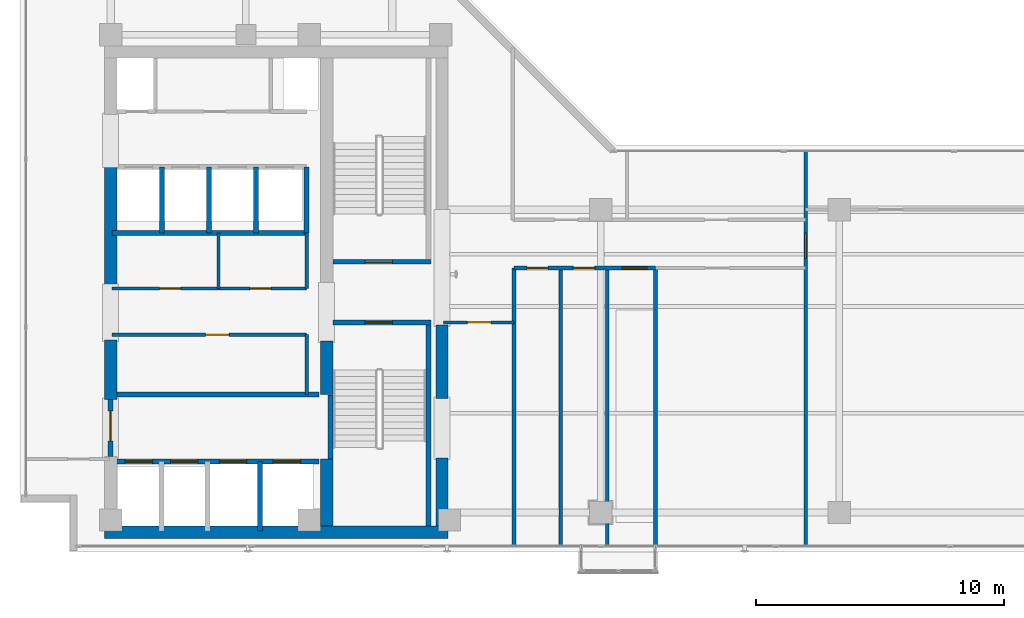
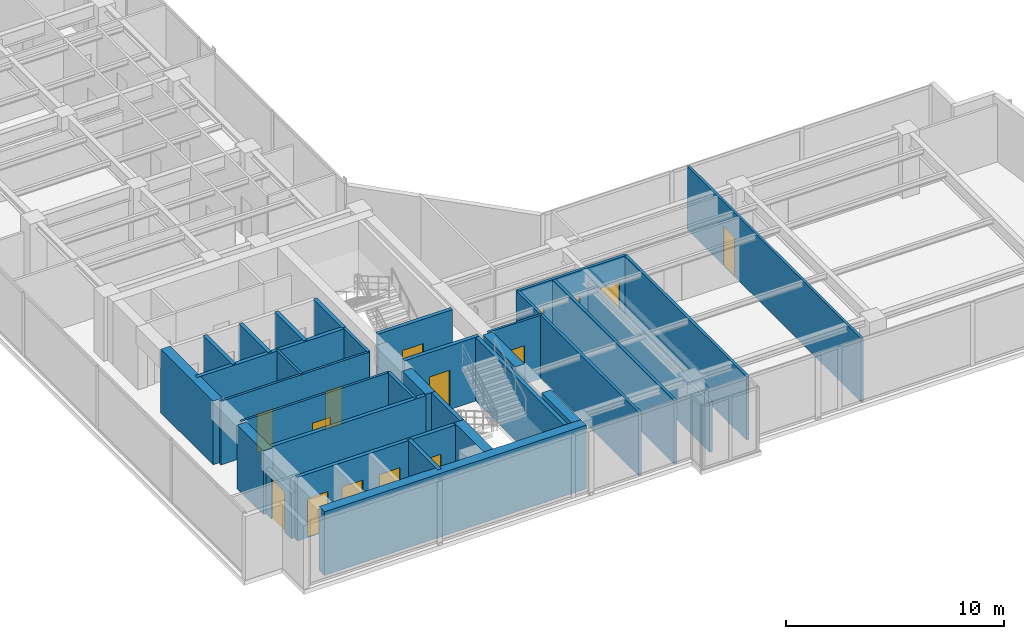
# One storey, part 17 of 22: 32 walls, 15 doors, 15 openings.
"""IFC4 building model written with IfcOpenShell, lengths in metres."""

import ifcopenshell
import ifcopenshell.guid

model = None  # the IFC model being written
_history = None  # IfcOwnerHistory: only IFC2X3 demands one
_inside = {}  # id of a spatial element -> (the spatial element, [elements in it])
_under = {}  # id of a project, library or spatial element -> (it, [spatial elements below it])
_declared = {}  # id of a project -> (the project, [libraries it declares])
_typed = {}  # id of a type object -> (the type object, [elements of that type])
_made_of = {}  # id of a material, layer set ... -> (it, [elements and type objects made of it])


def new_model(schema):
    """Start an empty IFC model of exactly this schema.

    Asked for "IFC4X3", IfcOpenShell would pick the latest addendum, in which some entities
    have other attributes; the version numbers below select the first issue.
    IFC2X3 requires an IfcOwnerHistory on every rooted entity: one is made here for all.
    """
    global model, _history
    if schema == "IFC4X3":
        model = ifcopenshell.file(schema_version=(4, 3, 0, 0))
    else:
        model = ifcopenshell.file(schema=schema)
    _inside.clear()
    _under.clear()
    _declared.clear()
    _typed.clear()
    _made_of.clear()
    _history = None
    if model.schema == "IFC2X3":
        org = make("IfcOrganization", Name="unknown")
        user = make(
            "IfcPersonAndOrganization",
            ThePerson=make("IfcPerson", FamilyName="unknown"),
            TheOrganization=org,
        )
        app = make(
            "IfcApplication",
            ApplicationDeveloper=org,
            Version="unknown",
            ApplicationFullName="unknown",
            ApplicationIdentifier="unknown",
        )
        _history = make(
            "IfcOwnerHistory",
            OwningUser=user,
            OwningApplication=app,
            ChangeAction="ADDED",
            CreationDate=0,
        )
    return model


def make(cls, **values):
    """One entity of the class cls with the attributes given. An attribute that is None is left unset."""
    return model.create_entity(
        cls, **{name: value for name, value in values.items() if value is not None}
    )


def rooted(cls, **values):
    """An entity with a GlobalId (a new one), such as an element, a storey or a relation."""
    return make(cls, GlobalId=ifcopenshell.guid.new(), OwnerHistory=_history, **values)


def si_unit(unit_type, name, prefix=None):
    """IfcSIUnit, for example si_unit("LENGTHUNIT", "METRE", prefix="MILLI")."""
    return make("IfcSIUnit", UnitType=unit_type, Prefix=prefix, Name=name)


def assignment(units):
    """IfcUnitAssignment: the units of a project."""
    return None if units is None else make("IfcUnitAssignment", Units=units)


def point(xyz):
    """IfcCartesianPoint."""
    return None if xyz is None else make("IfcCartesianPoint", Coordinates=xyz)


def direction(xyz):
    """IfcDirection."""
    return None if xyz is None else make("IfcDirection", DirectionRatios=xyz)


def frame(location, z_axis=None, x_axis=None):
    """IfcAxis2Placement3D, a coordinate frame: its origin and axes. An axis left out is left unset."""
    return make(
        "IfcAxis2Placement3D",
        Location=point(location),
        Axis=direction(z_axis),
        RefDirection=direction(x_axis),
    )


def frame_2d(location, x_axis=None):
    """IfcAxis2Placement2D, a coordinate frame in the plane: its origin and x axis."""
    return make(
        "IfcAxis2Placement2D", Location=point(location), RefDirection=direction(x_axis)
    )


def origin():
    """The frame at (0, 0, 0) with its axes left unset."""
    return frame((0.0, 0.0, 0.0))


def place(relative_to, where):
    """IfcLocalPlacement: puts the frame where relative to a parent placement (None: the world)."""
    return make(
        "IfcLocalPlacement", PlacementRelTo=relative_to, RelativePlacement=where
    )


def context(
    kind, dimensions, precision=None, world=None, true_north=None, identifier=None
):
    """IfcGeometricRepresentationContext, for example the 3D "Model" context."""
    return make(
        "IfcGeometricRepresentationContext",
        ContextIdentifier=identifier,
        ContextType=kind,
        CoordinateSpaceDimension=dimensions,
        Precision=precision,
        WorldCoordinateSystem=world,
        TrueNorth=true_north,
    )


def subcontext(parent, identifier, kind, view, scale=None):
    """IfcGeometricRepresentationSubContext, for example "Body" below "Model"."""
    return make(
        "IfcGeometricRepresentationSubContext",
        ContextIdentifier=identifier,
        ContextType=kind,
        ParentContext=parent,
        TargetScale=scale,
        TargetView=view,
    )


def project(units=None, contexts=None):
    """IfcProject with its units and contexts."""
    return rooted(
        "IfcProject",
        Name="project",
        RepresentationContexts=contexts,
        UnitsInContext=assignment(units),
    )


def spatial(cls, under=None, at=None, **own):
    """A site, building, storey or space (cls), placed at a placement, below another one or the project."""
    s = rooted(cls, ObjectPlacement=at, **own)
    if under is not None:
        _under.setdefault(under.id(), (under, []))[1].append(s)
    return s


def profile(cls, at=None, kind="AREA", **sizes):
    """A parametric profile (cls). Its sizes go by their IFC names, for example OverallWidth=200.0."""
    return make(cls, ProfileType=kind, Position=at, **sizes)


def rectangle(**sizes):
    """IfcRectangleProfileDef."""
    return profile("IfcRectangleProfileDef", **sizes)


def extrude(swept, where, along, depth):
    """IfcExtrudedAreaSolid: the profile swept, set in the frame where, extruded along a direction by depth."""
    return make(
        "IfcExtrudedAreaSolid",
        SweptArea=swept,
        Position=where,
        ExtrudedDirection=direction(along),
        Depth=depth,
    )


def shape(context_of_items, identifier, shape_type, items):
    """IfcShapeRepresentation: the items that make up one representation, for example the "Body"."""
    return make(
        "IfcShapeRepresentation",
        ContextOfItems=context_of_items,
        RepresentationIdentifier=identifier,
        RepresentationType=shape_type,
        Items=items,
    )


def material(Name=None, Category=None):
    """IfcMaterial."""
    return make("IfcMaterial", Name=Name, Category=Category)


def layer(
    of_material, thickness, ventilated=None, Name=None, Category=None, Priority=None
):
    """IfcMaterialLayer: one layer of a wall or slab, of a material (None: an air gap)."""
    return make(
        "IfcMaterialLayer",
        Material=of_material,
        LayerThickness=thickness,
        IsVentilated=ventilated,
        Name=Name,
        Category=Category,
        Priority=Priority,
    )


def layer_set(layers, Name=None):
    """IfcMaterialLayerSet."""
    return make("IfcMaterialLayerSet", MaterialLayers=layers, LayerSetName=Name)


def made_of(thing, what):
    """Note that an element or type object is made of a material, layer set ...; save() writes the relation."""
    if what is not None:
        _made_of.setdefault(what.id(), (what, []))[1].append(thing)
    return thing


def type_object(cls, material=None, **own):
    """A type object (cls), such as IfcWallType, which elements share."""
    return made_of(rooted(cls, **own), material)


def element(
    cls,
    number,
    at=None,
    inside=None,
    cuts=None,
    type_object=None,
    material=None,
    context=None,
    identifier="Body",
    shape_type=None,
    held_by="IfcProductDefinitionShape",
    body=None,
    shapes=None,
    **own,
):
    """One element of the class cls, such as IfcWall. Its Tag is "e" and its number.

    at: its placement. inside: the storey or other place that contains it. cuts: it is an
    opening in that element (IfcRelVoidsElement). A single representation is given by context,
    identifier, shape_type and body (its items); several are given by shapes. held_by: the class
    of the entity that holds the representations. save() writes the other relations.
    """
    e = rooted(cls, Tag="e%d" % number, ObjectPlacement=at, **own)
    if body is not None:
        shapes = [shape(context, identifier, shape_type, body)]
    if shapes is not None:
        e.Representation = make(held_by, Representations=shapes)
    if inside is not None:
        _inside.setdefault(inside.id(), (inside, []))[1].append(e)
    if cuts is not None:
        rooted(
            "IfcRelVoidsElement", RelatingBuildingElement=cuts, RelatedOpeningElement=e
        )
    if type_object is not None:
        _typed.setdefault(type_object.id(), (type_object, []))[1].append(e)
    return made_of(e, material)


def fill(opening, filler):
    """IfcRelFillsElement: the door or window that sits in an opening."""
    return rooted(
        "IfcRelFillsElement",
        RelatingOpeningElement=opening,
        RelatedBuildingElement=filler,
    )


def aggregate(whole, parts):
    """IfcRelAggregates: a whole, such as a stair, and the parts it consists of."""
    return rooted("IfcRelAggregates", RelatingObject=whole, RelatedObjects=parts)


def save(model, path):
    """Write the relations noted so far, then the file.

    IfcRelAggregates (storeys below a building ...), IfcRelContainedInSpatialStructure (elements
    in a storey), IfcRelDefinesByType, IfcRelAssociatesMaterial and IfcRelDeclares: one each for
    every whole, place, type object, material and project.
    """
    for whole, parts in _under.values():
        aggregate(whole, parts)
    for where, things in _inside.values():
        rooted(
            "IfcRelContainedInSpatialStructure",
            RelatedElements=things,
            RelatingStructure=where,
        )
    for kind, things in _typed.values():
        rooted("IfcRelDefinesByType", RelatedObjects=things, RelatingType=kind)
    for what, things in _made_of.values():
        rooted("IfcRelAssociatesMaterial", RelatedObjects=things, RelatingMaterial=what)
    for by, libraries in _declared.values():
        rooted("IfcRelDeclares", RelatingContext=by, RelatedDefinitions=libraries)
    model.write(path)


model = new_model("IFC4")

# Units and contexts
model_context = context("Model", 3, precision=1e-05, world=origin(), true_north=direction((0.0, 1.0)))
body_context = subcontext(model_context, "Body", "Model", "MODEL_VIEW")
ifc_project = project(units=[si_unit("LENGTHUNIT", "METRE"), si_unit("AREAUNIT", "SQUARE_METRE"), si_unit("VOLUMEUNIT", "CUBIC_METRE"), si_unit("PLANEANGLEUNIT", "RADIAN"), si_unit("MASSUNIT", "GRAM", prefix="KILO")], contexts=[model_context])

# Site, building, storey
site_placement = place(None, origin())
site = spatial("IfcSite", under=ifc_project, at=site_placement, CompositionType="ELEMENT")
building_placement = place(site_placement, origin())
building = spatial("IfcBuilding", under=site, at=building_placement, Name="Kolvaren Waterfront Exchange", CompositionType="ELEMENT")
storey_placement = place(building_placement, frame((0.0, 0.0, 262.800048828125)))
storey = spatial("IfcBuildingStorey", under=building, at=storey_placement, Name="L67", CompositionType="ELEMENT", Elevation=262.800048828125)

# Wall, opening, door
ifc_material_1 = material(Name="Precast concrete C40/50", Category="concrete")
ifc_layer_1 = layer(ifc_material_1, 0.199951171875, Name="Precast concrete C40/50")
ifc_layer_set_1 = layer_set([ifc_layer_1], Name="Precast concrete C40/50")
wall_type_1 = type_object("IfcWallType", Name="ARC-FIRE-200", PredefinedType="PARTITIONING", material=ifc_layer_set_1)
wall_1_placement = place(storey_placement, frame((16.39990234375, 12.85009765625, 0.0), z_axis=(0.0, 0.0, 1.0), x_axis=(1.0, 0.0, 0.0)))
wall_1 = element("IfcWall", 1, at=wall_1_placement, inside=storey, type_object=wall_type_1, Name="L67 interior wall PW-L67-ST1-THROAT-S", PredefinedType="PARTITIONING", context=body_context, shape_type="SweptSolid", body=[
    extrude(rectangle(XDim=3.960205078125, YDim=0.199951171875, at=frame_2d((1.97998046875, 0.0))), origin(), (0.0, 0.0, 1.0), 3.56005859375),
])
opening_1_placement = place(wall_1_placement, frame((1.3037109375, 0.0, 0.0)))
opening_1 = element("IfcOpeningElement", 2, at=opening_1_placement, cuts=wall_1, Name="Opening FD2", PredefinedType="OPENING", context=body_context, shape_type="SweptSolid", body=[
    extrude(rectangle(XDim=1.10009765625, YDim=2.199951171875, at=frame_2d((0.550048828125, 1.10009765625))), frame((0.0, 0.10986328125, 0.0), z_axis=(0.0, -1.0, 0.0), x_axis=(1.0, 0.0, 0.0)), (0.0, 0.0, 1.0), 0.219970703125),
])
ifc_material_2 = material(Name="Pressed steel smoke-seal fire door", Category="steel")
door_type_1 = type_object("IfcDoorType", Name="ARC-FD-1100", OperationType="NOTDEFINED", PredefinedType="DOOR", material=ifc_material_2)
door_1_placement = place(opening_1_placement, frame((1.10009765625, 0.0, 0.0), z_axis=(0.0, 0.0, 1.0), x_axis=(-1.0, 0.0, 0.0)))
door_1 = element("IfcDoor", 3, at=door_1_placement, inside=storey, type_object=door_type_1, Name="L67 door DR-L67-ST1-IN (FD2)", OperationType="SINGLE_SWING_LEFT", OverallHeight=2.199951171875, OverallWidth=1.10009765625, PredefinedType="DOOR", context=body_context, shape_type="SweptSolid", body=[
    extrude(rectangle(XDim=1.10009765625, YDim=2.199951171875, at=frame_2d((0.550048828125, 1.10009765625))), frame((0.0, 0.02490234375, 0.0), z_axis=(0.0, -1.0, 0.0), x_axis=(1.0, 0.0, 0.0)), (0.0, 0.0, 1.0), 0.050048828125),
])
fill(opening_1, door_1)

wall_2_placement = place(storey_placement, frame((16.409912109375, 15.300048828125, 0.0), z_axis=(0.0, 0.0, 1.0), x_axis=(1.0, 0.0, 0.0)))
wall_2 = element("IfcWall", 4, at=wall_2_placement, inside=storey, type_object=wall_type_1, Name="L67 interior wall PW-L67-ST2-THROAT-N", PredefinedType="PARTITIONING", context=body_context, shape_type="SweptSolid", body=[
    extrude(rectangle(XDim=3.9501953125, YDim=0.199951171875, at=frame_2d((1.97509765625, 0.0))), origin(), (0.0, 0.0, 1.0), 3.56005859375),
])
opening_2_placement = place(wall_2_placement, frame((1.293701171875, 0.0, 0.0)))
opening_2 = element("IfcOpeningElement", 5, at=opening_2_placement, cuts=wall_2, Name="Opening FD2", PredefinedType="OPENING", context=body_context, shape_type="SweptSolid", body=[
    extrude(rectangle(XDim=1.10009765625, YDim=2.199951171875, at=frame_2d((0.550048828125, 1.10009765625))), frame((0.0, 0.10986328125, 0.0), z_axis=(0.0, -1.0, 0.0), x_axis=(1.0, 0.0, 0.0)), (0.0, 0.0, 1.0), 0.219970703125),
])
door_2_placement = place(opening_2_placement, origin())
door_2 = element("IfcDoor", 6, at=door_2_placement, inside=storey, type_object=door_type_1, Name="L67 door DR-L67-ST2-IN (FD2)", OperationType="SINGLE_SWING_RIGHT", OverallHeight=2.199951171875, OverallWidth=1.10009765625, PredefinedType="DOOR", context=body_context, shape_type="SweptSolid", body=[
    extrude(rectangle(XDim=1.10009765625, YDim=2.199951171875, at=frame_2d((0.550048828125, 1.10009765625))), frame((0.0, 0.02490234375, 0.0), z_axis=(0.0, -1.0, 0.0), x_axis=(1.0, 0.0, 0.0)), (0.0, 0.0, 1.0), 0.050048828125),
])
fill(opening_2, door_2)

# Wall
wall_3_placement = place(storey_placement, frame((7.5, 9.949951171875, 0.0), z_axis=(0.0, 0.0, 1.0), x_axis=(1.0, 0.0, 0.0)))
element("IfcWall", 7, at=wall_3_placement, inside=storey, type_object=wall_type_1, Name="L67 interior wall PW-L67-FF-N", PredefinedType="PARTITIONING", context=body_context, shape_type="SweptSolid", body=[
    extrude(rectangle(XDim=8.35009765625, YDim=0.199951171875, at=frame_2d((4.175048828125, 0.0))), origin(), (0.0, 0.0, 1.0), 3.56005859375),
])

# Wall, opening, door
wall_4_placement = place(storey_placement, frame((7.449951171875, 7.449951171875, 0.0), z_axis=(0.0, 0.0, 1.0), x_axis=(0.0, 1.0, 0.0)))
wall_4 = element("IfcWall", 8, at=wall_4_placement, inside=storey, type_object=wall_type_1, Name="L67 interior wall PW-L67-FF-W-DOOR", PredefinedType="PARTITIONING", context=body_context, shape_type="SweptSolid", body=[
    extrude(rectangle(XDim=2.300048828125, YDim=0.199951171875, at=frame_2d((1.14990234375, 0.0))), origin(), (0.0, 0.0, 1.0), 2.5400390625),
])
opening_3_placement = place(wall_4_placement, frame((0.63330078125, 0.0, 0.0)))
opening_3 = element("IfcOpeningElement", 9, at=opening_3_placement, cuts=wall_4, Name="Opening FD3", PredefinedType="OPENING", context=body_context, shape_type="SweptSolid", body=[
    extrude(rectangle(XDim=1.199951171875, YDim=2.25, at=frame_2d((0.60009765625, 1.125))), frame((0.0, 0.10986328125, 0.0), z_axis=(0.0, -1.0, 0.0), x_axis=(1.0, 0.0, 0.0)), (0.0, 0.0, 1.0), 0.219970703125),
])
ifc_material_3 = material(Name="Pressed steel fire door", Category="steel")
door_type_2 = type_object("IfcDoorType", Name="ARC-FD-1200", OperationType="NOTDEFINED", PredefinedType="DOOR", material=ifc_material_3)
door_3_placement = place(opening_3_placement, frame((1.199951171875, 0.0, 0.0), z_axis=(0.0, 0.0, 1.0), x_axis=(-1.0, 0.0, 0.0)))
door_3 = element("IfcDoor", 10, at=door_3_placement, inside=storey, type_object=door_type_2, Name="L67 door DR-L67-FF-OUT (FD3)", OperationType="SINGLE_SWING_LEFT", OverallHeight=2.25, OverallWidth=1.199951171875, PredefinedType="DOOR", context=body_context, shape_type="SweptSolid", body=[
    extrude(rectangle(XDim=1.199951171875, YDim=2.25, at=frame_2d((0.60009765625, 1.125))), frame((0.0, 0.02490234375, 0.0), z_axis=(0.0, -1.0, 0.0), x_axis=(1.0, 0.0, 0.0)), (0.0, 0.0, 1.0), 0.050048828125),
])
fill(opening_3, door_3)

ifc_material_4 = material(Name="Acoustic gypsum steel stud", Category="steel")
ifc_layer_2 = layer(ifc_material_4, 0.125, Name="Acoustic gypsum steel stud")
ifc_layer_set_2 = layer_set([ifc_layer_2], Name="Acoustic gypsum steel stud")
wall_type_2 = type_object("IfcWallType", Name="ARC-PART-125", PredefinedType="PARTITIONING", material=ifc_layer_set_2)
wall_5_placement = place(storey_placement, frame((7.5, 12.360107421875, 0.0), z_axis=(0.0, 0.0, 1.0), x_axis=(1.0, 0.0, 0.0)))
wall_5 = element("IfcWall", 11, at=wall_5_placement, inside=storey, type_object=wall_type_2, Name="L67 interior wall PW-L67-REC-HI-S", PredefinedType="PARTITIONING", context=body_context, shape_type="SweptSolid", body=[
    extrude(rectangle(XDim=7.85009765625, YDim=0.125, at=frame_2d((3.925048828125, 0.0))), origin(), (0.0, 0.0, 1.0), 3.56005859375),
])
opening_4_placement = place(wall_5_placement, frame((3.77490234375, 0.0, 0.0)))
opening_4 = element("IfcOpeningElement", 12, at=opening_4_placement, cuts=wall_5, Name="Opening D02", PredefinedType="OPENING", context=body_context, shape_type="SweptSolid", body=[
    extrude(rectangle(XDim=0.949951171875, YDim=2.14990234375, at=frame_2d((0.47509765625, 1.074951171875))), frame((0.0, 0.072509765625, 0.0), z_axis=(0.0, -1.0, 0.0), x_axis=(1.0, 0.0, 0.0)), (0.0, 0.0, 1.0), 0.14501953125),
])
ifc_material_5 = material(Name="Oak veneer acoustic timber", Category="wood")
door_type_3 = type_object("IfcDoorType", Name="ARC-DR-950", OperationType="NOTDEFINED", PredefinedType="DOOR", material=ifc_material_5)
door_4_placement = place(opening_4_placement, origin())
door_4 = element("IfcDoor", 13, at=door_4_placement, inside=storey, type_object=door_type_3, Name="L67 door DR-L67-REC-HI-D1 (D02)", OperationType="SINGLE_SWING_RIGHT", OverallHeight=2.14990234375, OverallWidth=0.949951171875, PredefinedType="DOOR", context=body_context, shape_type="SweptSolid", body=[
    extrude(rectangle(XDim=0.949951171875, YDim=2.14990234375, at=frame_2d((0.47509765625, 1.074951171875))), frame((0.0, 0.02490234375, 0.0), z_axis=(0.0, -1.0, 0.0), x_axis=(1.0, 0.0, 0.0)), (0.0, 0.0, 1.0), 0.050048828125),
])
fill(opening_4, door_4)

# Wall, openings, doors
wall_6_placement = place(storey_placement, frame((7.5, 14.219970703125, 0.0), z_axis=(0.0, 0.0, 1.0), x_axis=(1.0, 0.0, 0.0)))
wall_6 = element("IfcWall", 14, at=wall_6_placement, inside=storey, type_object=wall_type_2, Name="L67 interior wall PW-L67-REC-HI-N", PredefinedType="PARTITIONING", context=body_context, shape_type="SweptSolid", body=[
    extrude(rectangle(XDim=7.85009765625, YDim=0.125, at=frame_2d((3.925048828125, 0.0))), origin(), (0.0, 0.0, 1.0), 3.56005859375),
])
opening_5_placement = place(wall_6_placement, frame((1.925048828125, 0.0, 0.0)))
opening_5 = element("IfcOpeningElement", 15, at=opening_5_placement, cuts=wall_6, Name="Opening D01", PredefinedType="OPENING", context=body_context, shape_type="SweptSolid", body=[
    extrude(rectangle(XDim=0.85009765625, YDim=2.14990234375, at=frame_2d((0.425048828125, 1.074951171875))), frame((0.0, 0.072509765625, 0.0), z_axis=(0.0, -1.0, 0.0), x_axis=(1.0, 0.0, 0.0)), (0.0, 0.0, 1.0), 0.14501953125),
])
opening_6_placement = place(wall_6_placement, frame((5.56298828125, 0.0, 0.0)))
opening_6 = element("IfcOpeningElement", 16, at=opening_6_placement, cuts=wall_6, Name="Opening D01", PredefinedType="OPENING", context=body_context, shape_type="SweptSolid", body=[
    extrude(rectangle(XDim=0.85009765625, YDim=2.14990234375, at=frame_2d((0.425048828125, 1.074951171875))), frame((0.0, 0.072509765625, 0.0), z_axis=(0.0, -1.0, 0.0), x_axis=(1.0, 0.0, 0.0)), (0.0, 0.0, 1.0), 0.14501953125),
])
ifc_material_6 = material(Name="Oak veneer timber leaf", Category="wood")
door_type_4 = type_object("IfcDoorType", Name="ARC-DR-900", OperationType="NOTDEFINED", PredefinedType="DOOR", material=ifc_material_6)
door_5_placement = place(opening_5_placement, origin())
door_5 = element("IfcDoor", 17, at=door_5_placement, inside=storey, type_object=door_type_4, Name="L67 door DR-L67-REC-HI-D2 (D01)", OperationType="SINGLE_SWING_LEFT", OverallHeight=2.14990234375, OverallWidth=0.85009765625, PredefinedType="DOOR", context=body_context, shape_type="SweptSolid", body=[
    extrude(rectangle(XDim=0.85009765625, YDim=2.14990234375, at=frame_2d((0.425048828125, 1.074951171875))), frame((0.0, 0.02490234375, 0.0), z_axis=(0.0, -1.0, 0.0), x_axis=(1.0, 0.0, 0.0)), (0.0, 0.0, 1.0), 0.050048828125),
])
fill(opening_5, door_5)
door_6_placement = place(opening_6_placement, origin())
door_6 = element("IfcDoor", 18, at=door_6_placement, inside=storey, type_object=door_type_4, Name="L67 door DR-L67-REC-HI-D3 (D01)", OperationType="SINGLE_SWING_RIGHT", OverallHeight=2.14990234375, OverallWidth=0.85009765625, PredefinedType="DOOR", context=body_context, shape_type="SweptSolid", body=[
    extrude(rectangle(XDim=0.85009765625, YDim=2.14990234375, at=frame_2d((0.425048828125, 1.074951171875))), frame((0.0, 0.02490234375, 0.0), z_axis=(0.0, -1.0, 0.0), x_axis=(1.0, 0.0, 0.0)), (0.0, 0.0, 1.0), 0.050048828125),
])
fill(opening_6, door_6)

# Wall
wall_7_placement = place(storey_placement, frame((11.800048828125, 14.219970703125, 0.0), z_axis=(0.0, 0.0, 1.0), x_axis=(0.0, 1.0, 0.0)))
element("IfcWall", 19, at=wall_7_placement, inside=storey, type_object=wall_type_2, Name="L67 interior wall PW-L67-REC-HI-MN2", PredefinedType="PARTITIONING", context=body_context, shape_type="SweptSolid", body=[
    extrude(rectangle(XDim=2.22998046875, YDim=0.125, at=frame_2d((1.114990234375, 0.0))), origin(), (0.0, 0.0, 1.0), 3.56005859375),
])

# Wall, opening, door
wall_8_placement = place(storey_placement, frame((20.85009765625, 12.860107421875, 0.0), z_axis=(0.0, 0.0, 1.0), x_axis=(1.0, 0.0, 0.0)))
wall_8 = element("IfcWall", 20, at=wall_8_placement, inside=storey, type_object=wall_type_2, Name="L67 interior wall PW-L67-SWST3-N", PredefinedType="PARTITIONING", context=body_context, shape_type="SweptSolid", body=[
    extrude(rectangle(XDim=2.849853515625, YDim=0.125, at=frame_2d((1.4248046875, 0.0))), origin(), (0.0, 0.0, 1.0), 3.56005859375),
])
opening_7_placement = place(wall_8_placement, frame((0.971435546875, 0.0, 0.0)))
opening_7 = element("IfcOpeningElement", 21, at=opening_7_placement, cuts=wall_8, Name="Opening D02", PredefinedType="OPENING", context=body_context, shape_type="SweptSolid", body=[
    extrude(rectangle(XDim=0.949951171875, YDim=2.14990234375, at=frame_2d((0.47509765625, 1.074951171875))), frame((0.0, 0.072509765625, 0.0), z_axis=(0.0, -1.0, 0.0), x_axis=(1.0, 0.0, 0.0)), (0.0, 0.0, 1.0), 0.14501953125),
])
door_7_placement = place(opening_7_placement, origin())
door_7 = element("IfcDoor", 22, at=door_7_placement, inside=storey, type_object=door_type_3, Name="L67 door DR-L67-SWST3-D (D02)", OperationType="SINGLE_SWING_LEFT", OverallHeight=2.14990234375, OverallWidth=0.949951171875, PredefinedType="DOOR", context=body_context, shape_type="SweptSolid", body=[
    extrude(rectangle(XDim=0.949951171875, YDim=2.14990234375, at=frame_2d((0.47509765625, 1.074951171875))), frame((0.0, 0.02490234375, 0.0), z_axis=(0.0, -1.0, 0.0), x_axis=(1.0, 0.0, 0.0)), (0.0, 0.0, 1.0), 0.050048828125),
])
fill(opening_7, door_7)

wall_9_placement = place(storey_placement, frame((35.449951171875, 3.840087890625, 0.0), z_axis=(0.0, 0.0, 1.0), x_axis=(0.0, 1.0, 0.0)))
wall_9 = element("IfcWall", 23, at=wall_9_placement, inside=storey, type_object=wall_type_2, Name="L67 interior wall PW-L67-ETIP-W", PredefinedType="PARTITIONING", context=body_context, shape_type="SweptSolid", body=[
    extrude(rectangle(XDim=15.919921875, YDim=0.125, at=frame_2d((7.9599609375, 0.0))), origin(), (0.0, 0.0, 1.0), 3.56005859375),
])
opening_8_placement = place(wall_9_placement, frame((11.610107421875, 0.0, 0.0)))
opening_8 = element("IfcOpeningElement", 24, at=opening_8_placement, cuts=wall_9, Name="Opening D03", PredefinedType="OPENING", context=body_context, shape_type="SweptSolid", body=[
    extrude(rectangle(XDim=1.0, YDim=2.199951171875, at=frame_2d((0.5, 1.10009765625))), frame((0.0, 0.072509765625, 0.0), z_axis=(0.0, -1.0, 0.0), x_axis=(1.0, 0.0, 0.0)), (0.0, 0.0, 1.0), 0.14501953125),
])
ifc_material_7 = material(Name="Oak veneer accessible timber", Category="wood")
door_type_5 = type_object("IfcDoorType", Name="ARC-DR-1000", OperationType="NOTDEFINED", PredefinedType="DOOR", material=ifc_material_7)
door_8_placement = place(opening_8_placement, origin())
door_8 = element("IfcDoor", 25, at=door_8_placement, inside=storey, type_object=door_type_5, Name="L67 door DR-L67-ETIP1-D (D03)", OperationType="SINGLE_SWING_LEFT", OverallHeight=2.199951171875, OverallWidth=1.0, PredefinedType="DOOR", context=body_context, shape_type="SweptSolid", body=[
    extrude(rectangle(XDim=1.0, YDim=2.199951171875, at=frame_2d((0.5, 1.10009765625))), frame((0.0, 0.02490234375, 0.0), z_axis=(0.0, -1.0, 0.0), x_axis=(1.0, 0.0, 0.0)), (0.0, 0.0, 1.0), 0.050048828125),
])
fill(opening_8, door_8)

# Walls
ifc_material_8 = material(Name="Gypsum fireboard steel stud", Category="steel")
ifc_layer_3 = layer(ifc_material_8, 0.14990234375, Name="Gypsum fireboard steel stud")
ifc_layer_set_3 = layer_set([ifc_layer_3], Name="Gypsum fireboard steel stud")
wall_type_3 = type_object("IfcWallType", Name="ARC-PART-150", PredefinedType="PARTITIONING", material=ifc_layer_set_3)
wall_10_placement = place(storey_placement, frame((15.35009765625, 9.949951171875, 0.0), z_axis=(0.0, 0.0, 1.0), x_axis=(0.0, 1.0, 0.0)))
element("IfcWall", 26, at=wall_10_placement, inside=storey, type_object=wall_type_3, Name="L67 interior wall PW-L67-REC-HI-E1", PredefinedType="PARTITIONING", context=body_context, shape_type="SweptSolid", body=[
    extrude(rectangle(XDim=2.41015625, YDim=0.14990234375, at=frame_2d((1.205078125, 0.0))), origin(), (0.0, 0.0, 1.0), 3.56005859375),
])
wall_11_placement = place(storey_placement, frame((15.35009765625, 14.219970703125, 0.0), z_axis=(0.0, 0.0, 1.0), x_axis=(0.0, 1.0, 0.0)))
element("IfcWall", 27, at=wall_11_placement, inside=storey, type_object=wall_type_3, Name="L67 interior wall PW-L67-REC-HI-E2", PredefinedType="PARTITIONING", context=body_context, shape_type="SweptSolid", body=[
    extrude(rectangle(XDim=2.22998046875, YDim=0.14990234375, at=frame_2d((1.114990234375, 0.0))), origin(), (0.0, 0.0, 1.0), 3.56005859375),
])
ifc_material_9 = material(Name="Moisture-resistant gypsum stud")
ifc_layer_4 = layer(ifc_material_9, 0.14990234375, Name="Moisture-resistant gypsum stud")
ifc_layer_set_4 = layer_set([ifc_layer_4], Name="Moisture-resistant gypsum stud")
wall_type_4 = type_object("IfcWallType", Name="ARC-PLUMB-150", PredefinedType="PLUMBINGWALL", material=ifc_layer_set_4)
wall_12_placement = place(storey_placement, frame((23.699951171875, 3.840087890625, 0.0), z_axis=(0.0, 0.0, 1.0), x_axis=(0.0, 1.0, 0.0)))
element("IfcWall", 28, at=wall_12_placement, inside=storey, type_object=wall_type_4, Name="L67 interior wall PW-L67-WC-0", PredefinedType="PLUMBINGWALL", context=body_context, shape_type="SweptSolid", body=[
    extrude(rectangle(XDim=11.2099609375, YDim=0.14990234375, at=frame_2d((5.60498046875, 0.0))), origin(), (0.0, 0.0, 1.0), 3.56005859375),
])

# Wall, openings, doors
wall_13_placement = place(storey_placement, frame((23.699951171875, 15.050048828125, 0.0), z_axis=(0.0, 0.0, 1.0), x_axis=(1.0, 0.0, 0.0)))
wall_13 = element("IfcWall", 29, at=wall_13_placement, inside=storey, type_object=wall_type_4, Name="L67 interior wall PW-L67-WC-N", PredefinedType="PLUMBINGWALL", context=body_context, shape_type="SweptSolid", body=[
    extrude(rectangle(XDim=5.699951171875, YDim=0.14990234375, at=frame_2d((2.85009765625, 0.0))), origin(), (0.0, 0.0, 1.0), 3.56005859375),
])
opening_9_placement = place(wall_13_placement, frame((0.514892578125, 0.0, 0.0)))
opening_9 = element("IfcOpeningElement", 30, at=opening_9_placement, cuts=wall_13, Name="Opening D01", PredefinedType="OPENING", context=body_context, shape_type="SweptSolid", body=[
    extrude(rectangle(XDim=0.85009765625, YDim=2.14990234375, at=frame_2d((0.425048828125, 1.074951171875))), frame((0.0, 0.0849609375, 0.0), z_axis=(0.0, -1.0, 0.0), x_axis=(1.0, 0.0, 0.0)), (0.0, 0.0, 1.0), 0.169921875),
])
opening_10_placement = place(wall_13_placement, frame((2.39501953125, 0.0, 0.0)))
opening_10 = element("IfcOpeningElement", 31, at=opening_10_placement, cuts=wall_13, Name="Opening D01", PredefinedType="OPENING", context=body_context, shape_type="SweptSolid", body=[
    extrude(rectangle(XDim=0.85009765625, YDim=2.14990234375, at=frame_2d((0.425048828125, 1.074951171875))), frame((0.0, 0.0849609375, 0.0), z_axis=(0.0, -1.0, 0.0), x_axis=(1.0, 0.0, 0.0)), (0.0, 0.0, 1.0), 0.169921875),
])
opening_11_placement = place(wall_13_placement, frame((4.35009765625, 0.0, 0.0)))
opening_11 = element("IfcOpeningElement", 32, at=opening_11_placement, cuts=wall_13, Name="Opening D03", PredefinedType="OPENING", context=body_context, shape_type="SweptSolid", body=[
    extrude(rectangle(XDim=1.0, YDim=2.199951171875, at=frame_2d((0.5, 1.10009765625))), frame((0.0, 0.0849609375, 0.0), z_axis=(0.0, -1.0, 0.0), x_axis=(1.0, 0.0, 0.0)), (0.0, 0.0, 1.0), 0.169921875),
])
door_9_placement = place(opening_11_placement, origin())
door_9 = element("IfcDoor", 33, at=door_9_placement, inside=storey, type_object=door_type_5, Name="L67 door DR-L67-WCA-D (D03)", OperationType="SINGLE_SWING_LEFT", OverallHeight=2.199951171875, OverallWidth=1.0, PredefinedType="DOOR", context=body_context, shape_type="SweptSolid", body=[
    extrude(rectangle(XDim=1.0, YDim=2.199951171875, at=frame_2d((0.5, 1.10009765625))), frame((0.0, 0.02490234375, 0.0), z_axis=(0.0, -1.0, 0.0), x_axis=(1.0, 0.0, 0.0)), (0.0, 0.0, 1.0), 0.050048828125),
])
fill(opening_11, door_9)
door_10_placement = place(opening_9_placement, origin())
door_10 = element("IfcDoor", 34, at=door_10_placement, inside=storey, type_object=door_type_4, Name="L67 door DR-L67-WCM-D (D01)", OperationType="SINGLE_SWING_LEFT", OverallHeight=2.14990234375, OverallWidth=0.85009765625, PredefinedType="DOOR", context=body_context, shape_type="SweptSolid", body=[
    extrude(rectangle(XDim=0.85009765625, YDim=2.14990234375, at=frame_2d((0.425048828125, 1.074951171875))), frame((0.0, 0.02490234375, 0.0), z_axis=(0.0, -1.0, 0.0), x_axis=(1.0, 0.0, 0.0)), (0.0, 0.0, 1.0), 0.050048828125),
])
fill(opening_9, door_10)
door_11_placement = place(opening_10_placement, origin())
door_11 = element("IfcDoor", 35, at=door_11_placement, inside=storey, type_object=door_type_4, Name="L67 door DR-L67-WCF-D (D01)", OperationType="SINGLE_SWING_RIGHT", OverallHeight=2.14990234375, OverallWidth=0.85009765625, PredefinedType="DOOR", context=body_context, shape_type="SweptSolid", body=[
    extrude(rectangle(XDim=0.85009765625, YDim=2.14990234375, at=frame_2d((0.425048828125, 1.074951171875))), frame((0.0, 0.02490234375, 0.0), z_axis=(0.0, -1.0, 0.0), x_axis=(1.0, 0.0, 0.0)), (0.0, 0.0, 1.0), 0.050048828125),
])
fill(opening_10, door_11)

# Walls
wall_14_placement = place(storey_placement, frame((25.580078125, 3.840087890625, 0.0), z_axis=(0.0, 0.0, 1.0), x_axis=(0.0, 1.0, 0.0)))
element("IfcWall", 36, at=wall_14_placement, inside=storey, type_object=wall_type_4, Name="L67 interior wall PW-L67-WC-1", PredefinedType="PLUMBINGWALL", context=body_context, shape_type="SweptSolid", body=[
    extrude(rectangle(XDim=11.2099609375, YDim=0.14990234375, at=frame_2d((5.60498046875, 0.0))), origin(), (0.0, 0.0, 1.0), 3.56005859375),
])
wall_15_placement = place(storey_placement, frame((27.4599609375, 3.840087890625, 0.0), z_axis=(0.0, 0.0, 1.0), x_axis=(0.0, 1.0, 0.0)))
element("IfcWall", 37, at=wall_15_placement, inside=storey, type_object=wall_type_4, Name="L67 interior wall PW-L67-WC-2", PredefinedType="PLUMBINGWALL", context=body_context, shape_type="SweptSolid", body=[
    extrude(rectangle(XDim=11.2099609375, YDim=0.14990234375, at=frame_2d((5.60498046875, 0.0))), origin(), (0.0, 0.0, 1.0), 2.7978515625),
])
wall_16_placement = place(storey_placement, frame((29.39990234375, 3.840087890625, 0.0), z_axis=(0.0, 0.0, 1.0), x_axis=(0.0, 1.0, 0.0)))
element("IfcWall", 38, at=wall_16_placement, inside=storey, type_object=wall_type_4, Name="L67 interior wall PW-L67-WC-3", PredefinedType="PLUMBINGWALL", context=body_context, shape_type="SweptSolid", body=[
    extrude(rectangle(XDim=11.2099609375, YDim=0.14990234375, at=frame_2d((5.60498046875, 0.0))), origin(), (0.0, 0.0, 1.0), 3.56005859375),
])
ifc_material_10 = material(Name="Concrete C40/50", Category="concrete")
ifc_layer_5 = layer(ifc_material_10, 0.199951171875, Name="Concrete C40/50")
ifc_layer_set_5 = layer_set([ifc_layer_5], Name="Concrete C40/50")
wall_type_5 = type_object("IfcWallType", Name="ARC-SHAFT-200", PredefinedType="PARTITIONING", material=ifc_layer_set_5)
wall_17_placement = place(storey_placement, frame((16.300048828125, 7.360107421875, 0.0), z_axis=(0.0, 0.0, 1.0), x_axis=(0.0, 1.0, 0.0)))
element("IfcWall", 39, at=wall_17_placement, inside=storey, type_object=wall_type_5, Name="L67 structural stairwell wall PW-L67-ST1-W", PredefinedType="SHEAR", context=body_context, shape_type="SweptSolid", body=[
    extrude(rectangle(XDim=2.579833984375, YDim=0.199951171875, at=frame_2d((1.2900390625, 0.0))), origin(), (0.0, 0.0, 1.0), 3.56005859375),
])
wall_18_placement = place(storey_placement, frame((20.260009765625, 4.659912109375, 0.0), z_axis=(0.0, 0.0, 1.0), x_axis=(0.0, 1.0, 0.0)))
element("IfcWall", 40, at=wall_18_placement, inside=storey, type_object=wall_type_5, Name="L67 structural stairwell wall PW-L67-ST1-E", PredefinedType="SHEAR", context=body_context, shape_type="SweptSolid", body=[
    extrude(rectangle(XDim=8.090087890625, YDim=0.199951171875, at=frame_2d((4.044921875, 0.0))), origin(), (0.0, 0.0, 1.0), 3.56005859375),
])

# Wall, openings, doors
wall_19_placement = place(storey_placement, frame((7.5, 7.25, 0.0), z_axis=(0.0, 0.0, 1.0), x_axis=(1.0, 0.0, 0.0)))
wall_19 = element("IfcWall", 41, at=wall_19_placement, inside=storey, type_object=wall_type_5, Name="L67 interior wall PW-L67-FF-S", PredefinedType="PARTITIONING", context=body_context, shape_type="SweptSolid", body=[
    extrude(rectangle(XDim=8.35009765625, YDim=0.199951171875, at=frame_2d((4.175048828125, 0.0))), origin(), (0.0, 0.0, 1.0), 3.56005859375),
])
opening_12_placement = place(wall_19_placement, frame((0.530029296875, 0.0, 0.0)))
opening_12 = element("IfcOpeningElement", 42, at=opening_12_placement, cuts=wall_19, Name="Opening LD1", PredefinedType="OPENING", context=body_context, shape_type="SweptSolid", body=[
    extrude(rectangle(XDim=1.10009765625, YDim=2.199951171875, at=frame_2d((0.550048828125, 1.10009765625))), frame((0.0, 0.10986328125, 0.0), z_axis=(0.0, -1.0, 0.0), x_axis=(1.0, 0.0, 0.0)), (0.0, 0.0, 1.0), 0.219970703125),
])
opening_13_placement = place(wall_19_placement, frame((2.3701171875, 0.0, 0.0)))
opening_13 = element("IfcOpeningElement", 43, at=opening_13_placement, cuts=wall_19, Name="Opening LD1", PredefinedType="OPENING", context=body_context, shape_type="SweptSolid", body=[
    extrude(rectangle(XDim=1.10009765625, YDim=2.199951171875, at=frame_2d((0.550048828125, 1.10009765625))), frame((0.0, 0.10986328125, 0.0), z_axis=(0.0, -1.0, 0.0), x_axis=(1.0, 0.0, 0.0)), (0.0, 0.0, 1.0), 0.219970703125),
])
opening_14_placement = place(wall_19_placement, frame((4.330078125, 0.0, 0.0)))
opening_14 = element("IfcOpeningElement", 44, at=opening_14_placement, cuts=wall_19, Name="Opening LD1", PredefinedType="OPENING", context=body_context, shape_type="SweptSolid", body=[
    extrude(rectangle(XDim=1.10009765625, YDim=2.199951171875, at=frame_2d((0.550048828125, 1.10009765625))), frame((0.0, 0.10986328125, 0.0), z_axis=(0.0, -1.0, 0.0), x_axis=(1.0, 0.0, 0.0)), (0.0, 0.0, 1.0), 0.219970703125),
])
opening_15_placement = place(wall_19_placement, frame((6.5, 0.0, 0.0)))
opening_15 = element("IfcOpeningElement", 45, at=opening_15_placement, cuts=wall_19, Name="Opening LD1", PredefinedType="OPENING", context=body_context, shape_type="SweptSolid", body=[
    extrude(rectangle(XDim=1.10009765625, YDim=2.199951171875, at=frame_2d((0.550048828125, 1.10009765625))), frame((0.0, 0.10986328125, 0.0), z_axis=(0.0, -1.0, 0.0), x_axis=(1.0, 0.0, 0.0)), (0.0, 0.0, 1.0), 0.219970703125),
])
ifc_material_11 = material(Name="Stainless steel sliding landing door", Category="steel")
door_type_6 = type_object("IfcDoorType", Name="ARC-LD-FF", OperationType="SLIDING_TO_LEFT", PredefinedType="DOOR", material=ifc_material_11)
door_12_placement = place(opening_12_placement, origin())
door_12 = element("IfcDoor", 46, at=door_12_placement, inside=storey, type_object=door_type_6, Name="L67 door LD-L67-FFL1 (LD1)", OperationType="SLIDING_TO_LEFT", OverallHeight=2.199951171875, OverallWidth=1.10009765625, PredefinedType="DOOR", context=body_context, shape_type="SweptSolid", body=[
    extrude(rectangle(XDim=1.10009765625, YDim=2.199951171875, at=frame_2d((0.550048828125, 1.10009765625))), frame((0.0, 0.02490234375, 0.0), z_axis=(0.0, -1.0, 0.0), x_axis=(1.0, 0.0, 0.0)), (0.0, 0.0, 1.0), 0.050048828125),
])
fill(opening_12, door_12)
door_13_placement = place(opening_13_placement, origin())
door_13 = element("IfcDoor", 47, at=door_13_placement, inside=storey, type_object=door_type_6, Name="L67 door LD-L67-FFL2 (LD1)", OperationType="SLIDING_TO_LEFT", OverallHeight=2.199951171875, OverallWidth=1.10009765625, PredefinedType="DOOR", context=body_context, shape_type="SweptSolid", body=[
    extrude(rectangle(XDim=1.10009765625, YDim=2.199951171875, at=frame_2d((0.550048828125, 1.10009765625))), frame((0.0, 0.02490234375, 0.0), z_axis=(0.0, -1.0, 0.0), x_axis=(1.0, 0.0, 0.0)), (0.0, 0.0, 1.0), 0.050048828125),
])
fill(opening_13, door_13)
door_14_placement = place(opening_14_placement, origin())
door_14 = element("IfcDoor", 48, at=door_14_placement, inside=storey, type_object=door_type_6, Name="L67 door LD-L67-GL1 (LD1)", OperationType="SLIDING_TO_LEFT", OverallHeight=2.199951171875, OverallWidth=1.10009765625, PredefinedType="DOOR", context=body_context, shape_type="SweptSolid", body=[
    extrude(rectangle(XDim=1.10009765625, YDim=2.199951171875, at=frame_2d((0.550048828125, 1.10009765625))), frame((0.0, 0.02490234375, 0.0), z_axis=(0.0, -1.0, 0.0), x_axis=(1.0, 0.0, 0.0)), (0.0, 0.0, 1.0), 0.050048828125),
])
fill(opening_14, door_14)
door_15_placement = place(opening_15_placement, origin())
door_15 = element("IfcDoor", 49, at=door_15_placement, inside=storey, type_object=door_type_6, Name="L67 door LD-L67-GL2 (LD1)", OperationType="SLIDING_TO_LEFT", OverallHeight=2.199951171875, OverallWidth=1.10009765625, PredefinedType="DOOR", context=body_context, shape_type="SweptSolid", body=[
    extrude(rectangle(XDim=1.10009765625, YDim=2.199951171875, at=frame_2d((0.550048828125, 1.10009765625))), frame((0.0, 0.02490234375, 0.0), z_axis=(0.0, -1.0, 0.0), x_axis=(1.0, 0.0, 0.0)), (0.0, 0.0, 1.0), 0.050048828125),
])
fill(opening_15, door_15)

# Walls
wall_20_placement = place(storey_placement, frame((13.4599609375, 4.449951171875, 0.0), z_axis=(0.0, 0.0, 1.0), x_axis=(0.0, 1.0, 0.0)))
element("IfcWall", 50, at=wall_20_placement, inside=storey, type_object=wall_type_5, Name="L67 interior wall PW-L67-SH1-DIV-134", PredefinedType="PARTITIONING", context=body_context, shape_type="SweptSolid", body=[
    extrude(rectangle(XDim=2.800048828125, YDim=0.199951171875, at=frame_2d((1.39990234375, 0.0))), origin(), (0.0, 0.0, 1.0), 3.56005859375),
])
wall_21_placement = place(storey_placement, frame((7.5, 16.449951171875, 0.0), z_axis=(0.0, 0.0, 1.0), x_axis=(1.0, 0.0, 0.0)))
element("IfcWall", 51, at=wall_21_placement, inside=storey, type_object=wall_type_5, Name="L67 interior wall PW-L67-REC-PM-N", PredefinedType="PARTITIONING", context=body_context, shape_type="SweptSolid", body=[
    extrude(rectangle(XDim=7.85009765625, YDim=0.199951171875, at=frame_2d((3.925048828125, 0.0))), origin(), (0.0, 0.0, 1.0), 3.56005859375),
])
for number, where, z_axis, x_axis, name in (
    (52, (15.35009765625, 16.449951171875, 0.0), (0.0, 0.0, 1.0), (0.0, 1.0, 0.0), "L67 interior wall PW-L67-PH-E"),
    (53, (9.52001953125, 16.449951171875, 0.0), (0.0, 0.0, 1.0), (0.0, 1.0, 0.0), "L67 interior wall PW-L67-SH4-DIV-95"),
    (54, (11.409912109375, 16.449951171875, 0.0), (0.0, 0.0, 1.0), (0.0, 1.0, 0.0), "L67 interior wall PW-L67-SH4-DIV-114"),
    (55, (13.300048828125, 16.449951171875, 0.0), (0.0, 0.0, 1.0), (0.0, 1.0, 0.0), "L67 interior wall PW-L67-SH4-DIV-133"),
):
    element("IfcWall", number, at=place(storey_placement, frame(where, z_axis=z_axis, x_axis=x_axis)), inside=storey, type_object=wall_type_5, Name=name, PredefinedType="PARTITIONING", context=body_context, shape_type="SweptSolid", body=[
        extrude(rectangle(XDim=2.670166015625, YDim=0.199951171875, at=frame_2d((1.3349609375, 0.0))), origin(), (0.0, 0.0, 1.0), 3.56005859375),
    ])
ifc_material_12 = material(Name="Concrete C50/60", Category="concrete")
ifc_layer_6 = layer(ifc_material_12, 0.5, Name="Concrete C50/60")
ifc_layer_set_6 = layer_set([ifc_layer_6], Name="Concrete C50/60")
wall_type_6 = type_object("IfcWallType", Name="STR-CWALL-500", PredefinedType="SHEAR", material=ifc_layer_set_6)
wall_22_placement = place(storey_placement, frame((7.199951171875, 4.39990234375, 0.0), z_axis=(0.0, 0.0, 1.0), x_axis=(1.0, 0.0, 0.0)))
element("IfcWall", 56, at=wall_22_placement, inside=storey, type_object=wall_type_6, Name="L67 rear-core shear wall S", PredefinedType="SHEAR", context=body_context, shape_type="SweptSolid", body=[
    extrude(rectangle(XDim=13.85009765625, YDim=0.5, at=frame_2d((6.925048828125, 0.0))), origin(), (0.0, 0.0, 1.0), 3.56005859375),
])
wall_23_placement = place(storey_placement, frame((7.449951171875, 9.75, 0.0), z_axis=(0.0, 0.0, 1.0), x_axis=(0.0, 1.0, 0.0)))
element("IfcWall", 57, at=wall_23_placement, inside=storey, type_object=wall_type_6, Name="L67 rear-core shear wall W2A", PredefinedType="SHEAR", context=body_context, shape_type="SweptSolid", body=[
    extrude(rectangle(XDim=2.39990234375, YDim=0.5, at=frame_2d((1.199951171875, 0.0))), origin(), (0.0, 0.0, 1.0), 3.56005859375),
])
wall_24_placement = place(storey_placement, frame((7.449951171875, 14.35009765625, 0.0), z_axis=(0.0, 0.0, 1.0), x_axis=(0.0, 1.0, 0.0)))
element("IfcWall", 58, at=wall_24_placement, inside=storey, type_object=wall_type_6, Name="L67 rear-core shear wall W2B", PredefinedType="SHEAR", context=body_context, shape_type="SweptSolid", body=[
    extrude(rectangle(XDim=4.809814453125, YDim=0.5, at=frame_2d((2.40478515625, 0.0))), origin(), (0.0, 0.0, 1.0), 3.56005859375),
])
wall_25_placement = place(storey_placement, frame((20.800048828125, 4.64990234375, 0.0), z_axis=(0.0, 0.0, 1.0), x_axis=(0.0, 1.0, 0.0)))
element("IfcWall", 59, at=wall_25_placement, inside=storey, type_object=wall_type_6, Name="L67 rear-core shear wall E1", PredefinedType="SHEAR", context=body_context, shape_type="SweptSolid", body=[
    extrude(rectangle(XDim=2.75, YDim=0.5, at=frame_2d((1.375, 0.0))), origin(), (0.0, 0.0, 1.0), 3.56005859375),
])
wall_26_placement = place(storey_placement, frame((20.800048828125, 9.800048828125, 0.0), z_axis=(0.0, 0.0, 1.0), x_axis=(0.0, 1.0, 0.0)))
element("IfcWall", 60, at=wall_26_placement, inside=storey, type_object=wall_type_6, Name="L67 rear-core shear wall E2", PredefinedType="SHEAR", context=body_context, shape_type="SweptSolid", body=[
    extrude(rectangle(XDim=2.949951171875, YDim=0.5, at=frame_2d((1.47509765625, 0.0))), origin(), (0.0, 0.0, 1.0), 3.56005859375),
])
wall_27_placement = place(storey_placement, frame((16.14990234375, 4.64990234375, 0.0), z_axis=(0.0, 0.0, 1.0), x_axis=(0.0, 1.0, 0.0)))
element("IfcWall", 61, at=wall_27_placement, inside=storey, type_object=wall_type_6, Name="L67 rear-core shear wall M1", PredefinedType="SHEAR", context=body_context, shape_type="SweptSolid", body=[
    extrude(rectangle(XDim=2.7001953125, YDim=0.5, at=frame_2d((1.35009765625, 0.0))), origin(), (0.0, 0.0, 1.0), 3.56005859375),
])
wall_28_placement = place(storey_placement, frame((16.14990234375, 9.949951171875, 0.0), z_axis=(0.0, 0.0, 1.0), x_axis=(0.0, 1.0, 0.0)))
element("IfcWall", 62, at=wall_28_placement, inside=storey, type_object=wall_type_6, Name="L67 rear-core shear wall M2", PredefinedType="SHEAR", context=body_context, shape_type="SweptSolid", body=[
    extrude(rectangle(XDim=2.150146484375, YDim=0.5, at=frame_2d((1.0751953125, 0.0))), origin(), (0.0, 0.0, 1.0), 3.56005859375),
])

save(model, "model.ifc")
